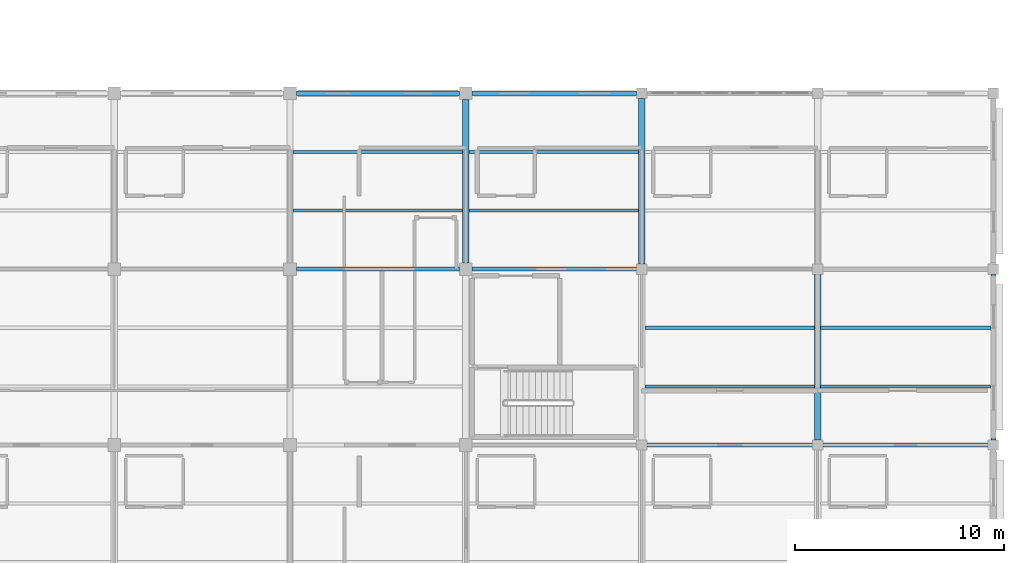
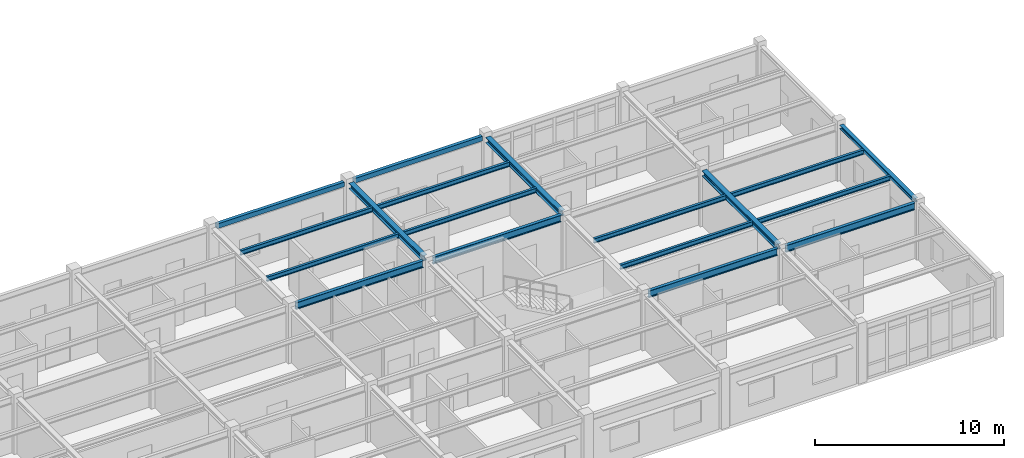
# One storey, part 33 of 86: 18 beams.
"""IFC4 building model written with IfcOpenShell, lengths in metres."""

import ifcopenshell
import ifcopenshell.guid

model = None  # the IFC model being written
_history = None  # IfcOwnerHistory: only IFC2X3 demands one
_inside = {}  # id of a spatial element -> (the spatial element, [elements in it])
_under = {}  # id of a project, library or spatial element -> (it, [spatial elements below it])
_declared = {}  # id of a project -> (the project, [libraries it declares])
_typed = {}  # id of a type object -> (the type object, [elements of that type])
_made_of = {}  # id of a material, layer set ... -> (it, [elements and type objects made of it])


def new_model(schema):
    """Start an empty IFC model of exactly this schema.

    Asked for "IFC4X3", IfcOpenShell would pick the latest addendum, in which some entities
    have other attributes; the version numbers below select the first issue.
    IFC2X3 requires an IfcOwnerHistory on every rooted entity: one is made here for all.
    """
    global model, _history
    if schema == "IFC4X3":
        model = ifcopenshell.file(schema_version=(4, 3, 0, 0))
    else:
        model = ifcopenshell.file(schema=schema)
    _inside.clear()
    _under.clear()
    _declared.clear()
    _typed.clear()
    _made_of.clear()
    _history = None
    if model.schema == "IFC2X3":
        org = make("IfcOrganization", Name="unknown")
        user = make(
            "IfcPersonAndOrganization",
            ThePerson=make("IfcPerson", FamilyName="unknown"),
            TheOrganization=org,
        )
        app = make(
            "IfcApplication",
            ApplicationDeveloper=org,
            Version="unknown",
            ApplicationFullName="unknown",
            ApplicationIdentifier="unknown",
        )
        _history = make(
            "IfcOwnerHistory",
            OwningUser=user,
            OwningApplication=app,
            ChangeAction="ADDED",
            CreationDate=0,
        )
    return model


def make(cls, **values):
    """One entity of the class cls with the attributes given. An attribute that is None is left unset."""
    return model.create_entity(
        cls, **{name: value for name, value in values.items() if value is not None}
    )


def rooted(cls, **values):
    """An entity with a GlobalId (a new one), such as an element, a storey or a relation."""
    return make(cls, GlobalId=ifcopenshell.guid.new(), OwnerHistory=_history, **values)


def si_unit(unit_type, name, prefix=None):
    """IfcSIUnit, for example si_unit("LENGTHUNIT", "METRE", prefix="MILLI")."""
    return make("IfcSIUnit", UnitType=unit_type, Prefix=prefix, Name=name)


def assignment(units):
    """IfcUnitAssignment: the units of a project."""
    return None if units is None else make("IfcUnitAssignment", Units=units)


def point(xyz):
    """IfcCartesianPoint."""
    return None if xyz is None else make("IfcCartesianPoint", Coordinates=xyz)


def direction(xyz):
    """IfcDirection."""
    return None if xyz is None else make("IfcDirection", DirectionRatios=xyz)


def frame(location, z_axis=None, x_axis=None):
    """IfcAxis2Placement3D, a coordinate frame: its origin and axes. An axis left out is left unset."""
    return make(
        "IfcAxis2Placement3D",
        Location=point(location),
        Axis=direction(z_axis),
        RefDirection=direction(x_axis),
    )


def frame_2d(location, x_axis=None):
    """IfcAxis2Placement2D, a coordinate frame in the plane: its origin and x axis."""
    return make(
        "IfcAxis2Placement2D", Location=point(location), RefDirection=direction(x_axis)
    )


def origin():
    """The frame at (0, 0, 0) with its axes left unset."""
    return frame((0.0, 0.0, 0.0))


def origin_2d():
    """The frame at (0, 0) in the plane with its x axis left unset."""
    return frame_2d((0.0, 0.0))


def place(relative_to, where):
    """IfcLocalPlacement: puts the frame where relative to a parent placement (None: the world)."""
    return make(
        "IfcLocalPlacement", PlacementRelTo=relative_to, RelativePlacement=where
    )


def context(
    kind, dimensions, precision=None, world=None, true_north=None, identifier=None
):
    """IfcGeometricRepresentationContext, for example the 3D "Model" context."""
    return make(
        "IfcGeometricRepresentationContext",
        ContextIdentifier=identifier,
        ContextType=kind,
        CoordinateSpaceDimension=dimensions,
        Precision=precision,
        WorldCoordinateSystem=world,
        TrueNorth=true_north,
    )


def subcontext(parent, identifier, kind, view, scale=None):
    """IfcGeometricRepresentationSubContext, for example "Body" below "Model"."""
    return make(
        "IfcGeometricRepresentationSubContext",
        ContextIdentifier=identifier,
        ContextType=kind,
        ParentContext=parent,
        TargetScale=scale,
        TargetView=view,
    )


def project(units=None, contexts=None):
    """IfcProject with its units and contexts."""
    return rooted(
        "IfcProject",
        Name="project",
        RepresentationContexts=contexts,
        UnitsInContext=assignment(units),
    )


def spatial(cls, under=None, at=None, **own):
    """A site, building, storey or space (cls), placed at a placement, below another one or the project."""
    s = rooted(cls, ObjectPlacement=at, **own)
    if under is not None:
        _under.setdefault(under.id(), (under, []))[1].append(s)
    return s


def profile(cls, at=None, kind="AREA", **sizes):
    """A parametric profile (cls). Its sizes go by their IFC names, for example OverallWidth=200.0."""
    return make(cls, ProfileType=kind, Position=at, **sizes)


def hollow_rectangle(**sizes):
    """IfcRectangleHollowProfileDef."""
    return profile("IfcRectangleHollowProfileDef", **sizes)


def i_section(**sizes):
    """IfcIShapeProfileDef."""
    return profile("IfcIShapeProfileDef", **sizes)


def extrude(swept, where, along, depth):
    """IfcExtrudedAreaSolid: the profile swept, set in the frame where, extruded along a direction by depth."""
    return make(
        "IfcExtrudedAreaSolid",
        SweptArea=swept,
        Position=where,
        ExtrudedDirection=direction(along),
        Depth=depth,
    )


def shape(context_of_items, identifier, shape_type, items):
    """IfcShapeRepresentation: the items that make up one representation, for example the "Body"."""
    return make(
        "IfcShapeRepresentation",
        ContextOfItems=context_of_items,
        RepresentationIdentifier=identifier,
        RepresentationType=shape_type,
        Items=items,
    )


def material(Name=None, Category=None):
    """IfcMaterial."""
    return make("IfcMaterial", Name=Name, Category=Category)


def material_profile(
    of_material, cross_section, Name=None, Category=None, Priority=None
):
    """IfcMaterialProfile: a cross section and its material."""
    return make(
        "IfcMaterialProfile",
        Name=Name,
        Material=of_material,
        Profile=cross_section,
        Priority=Priority,
        Category=Category,
    )


def profile_set(profiles, Name=None, composite=None):
    """IfcMaterialProfileSet."""
    return make(
        "IfcMaterialProfileSet",
        Name=Name,
        MaterialProfiles=profiles,
        CompositeProfile=composite,
    )


def made_of(thing, what):
    """Note that an element or type object is made of a material, layer set ...; save() writes the relation."""
    if what is not None:
        _made_of.setdefault(what.id(), (what, []))[1].append(thing)
    return thing


def type_object(cls, material=None, **own):
    """A type object (cls), such as IfcWallType, which elements share."""
    return made_of(rooted(cls, **own), material)


def element(
    cls,
    number,
    at=None,
    inside=None,
    cuts=None,
    type_object=None,
    material=None,
    context=None,
    identifier="Body",
    shape_type=None,
    held_by="IfcProductDefinitionShape",
    body=None,
    shapes=None,
    **own,
):
    """One element of the class cls, such as IfcWall. Its Tag is "e" and its number.

    at: its placement. inside: the storey or other place that contains it. cuts: it is an
    opening in that element (IfcRelVoidsElement). A single representation is given by context,
    identifier, shape_type and body (its items); several are given by shapes. held_by: the class
    of the entity that holds the representations. save() writes the other relations.
    """
    e = rooted(cls, Tag="e%d" % number, ObjectPlacement=at, **own)
    if body is not None:
        shapes = [shape(context, identifier, shape_type, body)]
    if shapes is not None:
        e.Representation = make(held_by, Representations=shapes)
    if inside is not None:
        _inside.setdefault(inside.id(), (inside, []))[1].append(e)
    if cuts is not None:
        rooted(
            "IfcRelVoidsElement", RelatingBuildingElement=cuts, RelatedOpeningElement=e
        )
    if type_object is not None:
        _typed.setdefault(type_object.id(), (type_object, []))[1].append(e)
    return made_of(e, material)


def aggregate(whole, parts):
    """IfcRelAggregates: a whole, such as a stair, and the parts it consists of."""
    return rooted("IfcRelAggregates", RelatingObject=whole, RelatedObjects=parts)


def save(model, path):
    """Write the relations noted so far, then the file.

    IfcRelAggregates (storeys below a building ...), IfcRelContainedInSpatialStructure (elements
    in a storey), IfcRelDefinesByType, IfcRelAssociatesMaterial and IfcRelDeclares: one each for
    every whole, place, type object, material and project.
    """
    for whole, parts in _under.values():
        aggregate(whole, parts)
    for where, things in _inside.values():
        rooted(
            "IfcRelContainedInSpatialStructure",
            RelatedElements=things,
            RelatingStructure=where,
        )
    for kind, things in _typed.values():
        rooted("IfcRelDefinesByType", RelatedObjects=things, RelatingType=kind)
    for what, things in _made_of.values():
        rooted("IfcRelAssociatesMaterial", RelatedObjects=things, RelatingMaterial=what)
    for by, libraries in _declared.values():
        rooted("IfcRelDeclares", RelatingContext=by, RelatedDefinitions=libraries)
    model.write(path)


model = new_model("IFC4")

# Units and contexts
model_context = context("Model", 3, precision=1e-05, world=origin(), true_north=direction((0.0, 1.0)))
body_context = subcontext(model_context, "Body", "Model", "MODEL_VIEW")
ifc_project = project(units=[si_unit("LENGTHUNIT", "METRE"), si_unit("AREAUNIT", "SQUARE_METRE"), si_unit("VOLUMEUNIT", "CUBIC_METRE"), si_unit("PLANEANGLEUNIT", "RADIAN"), si_unit("MASSUNIT", "GRAM", prefix="KILO")], contexts=[model_context])

# Site, building, storey
site_placement = place(None, origin())
site = spatial("IfcSite", under=ifc_project, at=site_placement, CompositionType="ELEMENT")
building_placement = place(site_placement, origin())
building = spatial("IfcBuilding", under=site, at=building_placement, Name="Bramfleet General Hospital", CompositionType="ELEMENT")
storey_placement = place(building_placement, frame((0.0, 0.0, 18.60009765625)))
storey = spatial("IfcBuildingStorey", under=building, at=storey_placement, Name="L04", CompositionType="ELEMENT", Elevation=18.60009765625)

# Beams
ifc_material = material(Name="Steel S355", Category="steel")
ifc_material_profile_1 = material_profile(ifc_material, i_section(OverallWidth=0.239990234375, OverallDepth=0.22998046875, WebThickness=0.007568359375, FlangeThickness=0.011962890625, FilletRadius=0.02099609375, at=origin_2d()), Name="HEA 240")
ifc_profile_set_1 = profile_set([ifc_material_profile_1], Name="Steel S355")
beam_type_1 = type_object("IfcBeamType", Name="BM-HEA240", PredefinedType="SPANDREL", material=ifc_profile_set_1)
beam_1_placement = place(storey_placement, frame((168.0, 8.64990234375, 3.494873046875), z_axis=(0.0, 1.0, 0.0), x_axis=(-1.0, 0.0, 0.0)))
element("IfcBeam", 1, at=beam_1_placement, inside=storey, type_object=beam_type_1, Name="L04 Grid Beam Y 20-01", PredefinedType="SPANDREL", context=body_context, shape_type="SweptSolid", body=[
    extrude(i_section(OverallWidth=0.239990234375, OverallDepth=0.22998046875, WebThickness=0.007568359375, FlangeThickness=0.011962890625, FilletRadius=0.02099609375, at=origin_2d()), origin(), (0.0, 0.0, 1.0), 7.900146484375),
])
ifc_material_profile_2 = material_profile(ifc_material, i_section(OverallWidth=0.300048828125, OverallDepth=0.35009765625, WebThickness=0.010009765625, FlangeThickness=0.017578125, FilletRadius=0.027099609375, at=origin_2d()), Name="HEA 360")
ifc_profile_set_2 = profile_set([ifc_material_profile_2], Name="Steel S355")
beam_type_2 = type_object("IfcBeamType", Name="BM-HEA360", PredefinedType="BEAM", material=ifc_profile_set_2)
beam_2_placement = place(storey_placement, frame((142.800048828125, 17.10009765625, 3.44482421875), z_axis=(0.0, 1.0, 0.0), x_axis=(-1.0, 0.0, 0.0)))
element("IfcBeam", 2, at=beam_2_placement, inside=storey, type_object=beam_type_2, Name="L04 Grid Beam Y 17-02", PredefinedType="BEAM", context=body_context, shape_type="SweptSolid", body=[
    extrude(i_section(OverallWidth=0.300048828125, OverallDepth=0.35009765625, WebThickness=0.010009765625, FlangeThickness=0.017578125, FilletRadius=0.027099609375, at=origin_2d()), origin(), (0.0, 0.0, 1.0), 7.7998046875),
])
beam_3_placement = place(storey_placement, frame((151.199951171875, 17.050048828125, 3.434814453125), z_axis=(0.0, 1.0, 0.0), x_axis=(-1.0, 0.0, 0.0)))
element("IfcBeam", 3, at=beam_3_placement, inside=storey, type_object=beam_type_2, Name="L04 Grid Beam Y 18-02", PredefinedType="BEAM", context=body_context, shape_type="SweptSolid", body=[
    extrude(i_section(OverallWidth=0.300048828125, OverallDepth=0.35009765625, WebThickness=0.010009765625, FlangeThickness=0.017578125, FilletRadius=0.027099609375, at=origin_2d()), origin(), (0.0, 0.0, 1.0), 7.89990234375),
])
beam_4_placement = place(storey_placement, frame((159.60009765625, 8.64990234375, 3.434814453125), z_axis=(0.0, 1.0, 0.0), x_axis=(-1.0, 0.0, 0.0)))
element("IfcBeam", 4, at=beam_4_placement, inside=storey, type_object=beam_type_2, Name="L04 Grid Beam Y 19-01", PredefinedType="BEAM", context=body_context, shape_type="SweptSolid", body=[
    extrude(i_section(OverallWidth=0.300048828125, OverallDepth=0.35009765625, WebThickness=0.010009765625, FlangeThickness=0.017578125, FilletRadius=0.027099609375, at=origin_2d()), origin(), (0.0, 0.0, 1.0), 7.900146484375),
])
ifc_material_profile_3 = material_profile(ifc_material, i_section(OverallWidth=0.14990234375, OverallDepth=0.300048828125, WebThickness=0.007080078125, FlangeThickness=0.0107421875, FilletRadius=0.014892578125, at=origin_2d()), Name="IPE 300")
ifc_profile_set_3 = profile_set([ifc_material_profile_3], Name="Steel S355")
beam_type_3 = type_object("IfcBeamType", Name="BM-IPE300", PredefinedType="JOIST", material=ifc_profile_set_3)
for number, where, z_axis, x_axis, name in (
    (5, (134.550048828125, 19.60009765625, 3.469970703125), (1.0, 0.0, 0.0), (0.0, 1.0, 0.0), "L04 Secondary Joist 16-02-1"),
    (6, (134.550048828125, 22.39990234375, 3.469970703125), (1.0, 0.0, 0.0), (0.0, 1.0, 0.0), "L04 Secondary Joist 16-02-2"),
):
    element("IfcBeam", number, at=place(storey_placement, frame(where, z_axis=z_axis, x_axis=x_axis)), inside=storey, type_object=beam_type_3, Name=name, PredefinedType="JOIST", context=body_context, shape_type="SweptSolid", body=[
        extrude(i_section(OverallWidth=0.14990234375, OverallDepth=0.300048828125, WebThickness=0.007080078125, FlangeThickness=0.0107421875, FilletRadius=0.014892578125, at=origin_2d()), origin(), (0.0, 0.0, 1.0), 8.099853515625),
    ])
for number, where, z_axis, x_axis, name in (
    (7, (142.949951171875, 19.60009765625, 3.469970703125), (1.0, 0.0, 0.0), (0.0, 1.0, 0.0), "L04 Secondary Joist 17-02-1"),
    (8, (142.949951171875, 22.39990234375, 3.469970703125), (1.0, 0.0, 0.0), (0.0, 1.0, 0.0), "L04 Secondary Joist 17-02-2"),
):
    element("IfcBeam", number, at=place(storey_placement, frame(where, z_axis=z_axis, x_axis=x_axis)), inside=storey, type_object=beam_type_3, Name=name, PredefinedType="JOIST", context=body_context, shape_type="SweptSolid", body=[
        extrude(i_section(OverallWidth=0.14990234375, OverallDepth=0.300048828125, WebThickness=0.007080078125, FlangeThickness=0.0107421875, FilletRadius=0.014892578125, at=origin_2d()), origin(), (0.0, 0.0, 1.0), 8.10009765625),
    ])
for number, where, z_axis, x_axis, name in (
    (9, (151.35009765625, 11.199951171875, 3.4599609375), (1.0, 0.0, 0.0), (0.0, 1.0, 0.0), "L04 Secondary Joist 18-01-1"),
    (10, (151.35009765625, 14.0, 3.4599609375), (1.0, 0.0, 0.0), (0.0, 1.0, 0.0), "L04 Secondary Joist 18-01-2"),
):
    element("IfcBeam", number, at=place(storey_placement, frame(where, z_axis=z_axis, x_axis=x_axis)), inside=storey, type_object=beam_type_3, Name=name, PredefinedType="JOIST", context=body_context, shape_type="SweptSolid", body=[
        extrude(i_section(OverallWidth=0.14990234375, OverallDepth=0.300048828125, WebThickness=0.007080078125, FlangeThickness=0.0107421875, FilletRadius=0.014892578125, at=origin_2d()), origin(), (0.0, 0.0, 1.0), 8.099853515625),
    ])
for number, where, z_axis, x_axis, name in (
    (11, (159.75, 11.199951171875, 3.4599609375), (1.0, 0.0, 0.0), (0.0, 1.0, 0.0), "L04 Secondary Joist 19-01-1"),
    (12, (159.75, 14.0, 3.4599609375), (1.0, 0.0, 0.0), (0.0, 1.0, 0.0), "L04 Secondary Joist 19-01-2"),
):
    element("IfcBeam", number, at=place(storey_placement, frame(where, z_axis=z_axis, x_axis=x_axis)), inside=storey, type_object=beam_type_3, Name=name, PredefinedType="JOIST", context=body_context, shape_type="SweptSolid", body=[
        extrude(i_section(OverallWidth=0.14990234375, OverallDepth=0.300048828125, WebThickness=0.007080078125, FlangeThickness=0.0107421875, FilletRadius=0.014892578125, at=origin_2d()), origin(), (0.0, 0.0, 1.0), 8.1298828125),
    ])
ifc_material_profile_4 = material_profile(ifc_material, i_section(OverallWidth=0.18994140625, OverallDepth=0.449951171875, WebThickness=0.009521484375, FlangeThickness=0.0146484375, FilletRadius=0.02099609375, at=origin_2d()), Name="IPE 450")
ifc_profile_set_4 = profile_set([ifc_material_profile_4], Name="Steel S355")
beam_type_4 = type_object("IfcBeamType", Name="BM-IPE450", PredefinedType="BEAM", material=ifc_profile_set_4)
beam_5_placement = place(storey_placement, frame((134.699951171875, 16.800048828125, 3.39501953125), z_axis=(1.0, 0.0, 0.0), x_axis=(0.0, 1.0, 0.0)))
element("IfcBeam", 13, at=beam_5_placement, inside=storey, type_object=beam_type_4, Name="L04 Grid Beam X 16-02", PredefinedType="BEAM", context=body_context, shape_type="SweptSolid", body=[
    extrude(i_section(OverallWidth=0.18994140625, OverallDepth=0.449951171875, WebThickness=0.009521484375, FlangeThickness=0.0146484375, FilletRadius=0.02099609375, at=origin_2d()), origin(), (0.0, 0.0, 1.0), 7.800048828125),
])
beam_6_placement = place(storey_placement, frame((143.10009765625, 16.800048828125, 3.39501953125), z_axis=(1.0, 0.0, 0.0), x_axis=(0.0, 1.0, 0.0)))
element("IfcBeam", 14, at=beam_6_placement, inside=storey, type_object=beam_type_4, Name="L04 Grid Beam X 17-02", PredefinedType="BEAM", context=body_context, shape_type="SweptSolid", body=[
    extrude(i_section(OverallWidth=0.18994140625, OverallDepth=0.449951171875, WebThickness=0.009521484375, FlangeThickness=0.0146484375, FilletRadius=0.02099609375, at=origin_2d()), origin(), (0.0, 0.0, 1.0), 7.849853515625),
])
beam_7_placement = place(storey_placement, frame((151.449951171875, 8.39990234375, 3.385009765625), z_axis=(1.0, 0.0, 0.0), x_axis=(0.0, 1.0, 0.0)))
element("IfcBeam", 15, at=beam_7_placement, inside=storey, type_object=beam_type_4, Name="L04 Grid Beam X 18-01", PredefinedType="BEAM", context=body_context, shape_type="SweptSolid", body=[
    extrude(i_section(OverallWidth=0.18994140625, OverallDepth=0.449951171875, WebThickness=0.009521484375, FlangeThickness=0.0146484375, FilletRadius=0.02099609375, at=origin_2d()), origin(), (0.0, 0.0, 1.0), 7.900146484375),
])
beam_8_placement = place(storey_placement, frame((159.85009765625, 8.39990234375, 3.385009765625), z_axis=(1.0, 0.0, 0.0), x_axis=(0.0, 1.0, 0.0)))
element("IfcBeam", 16, at=beam_8_placement, inside=storey, type_object=beam_type_4, Name="L04 Grid Beam X 19-01", PredefinedType="BEAM", context=body_context, shape_type="SweptSolid", body=[
    extrude(i_section(OverallWidth=0.18994140625, OverallDepth=0.449951171875, WebThickness=0.009521484375, FlangeThickness=0.0146484375, FilletRadius=0.02099609375, at=origin_2d()), origin(), (0.0, 0.0, 1.0), 7.89990234375),
])
ifc_material_profile_5 = material_profile(ifc_material, hollow_rectangle(XDim=0.199951171875, YDim=0.300048828125, WallThickness=0.012451171875, at=origin_2d()), Name="RHS 300x200x12.5")
ifc_profile_set_5 = profile_set([ifc_material_profile_5], Name="Steel S355")
beam_type_5 = type_object("IfcBeamType", Name="BM-RHS300", PredefinedType="SPANDREL", material=ifc_profile_set_5)
beam_9_placement = place(storey_placement, frame((134.699951171875, 25.199951171875, 3.469970703125), z_axis=(1.0, 0.0, 0.0), x_axis=(0.0, 1.0, 0.0)))
element("IfcBeam", 17, at=beam_9_placement, inside=storey, type_object=beam_type_5, Name="L04 Grid Beam X 16-03", PredefinedType="SPANDREL", context=body_context, shape_type="SweptSolid", body=[
    extrude(hollow_rectangle(XDim=0.199951171875, YDim=0.300048828125, WallThickness=0.012451171875, at=origin_2d()), origin(), (0.0, 0.0, 1.0), 7.800048828125),
])
beam_10_placement = place(storey_placement, frame((143.10009765625, 25.199951171875, 3.469970703125), z_axis=(1.0, 0.0, 0.0), x_axis=(0.0, 1.0, 0.0)))
element("IfcBeam", 18, at=beam_10_placement, inside=storey, type_object=beam_type_5, Name="L04 Grid Beam X 17-03", PredefinedType="SPANDREL", context=body_context, shape_type="SweptSolid", body=[
    extrude(hollow_rectangle(XDim=0.199951171875, YDim=0.300048828125, WallThickness=0.012451171875, at=origin_2d()), origin(), (0.0, 0.0, 1.0), 7.849853515625),
])

save(model, "model.ifc")
